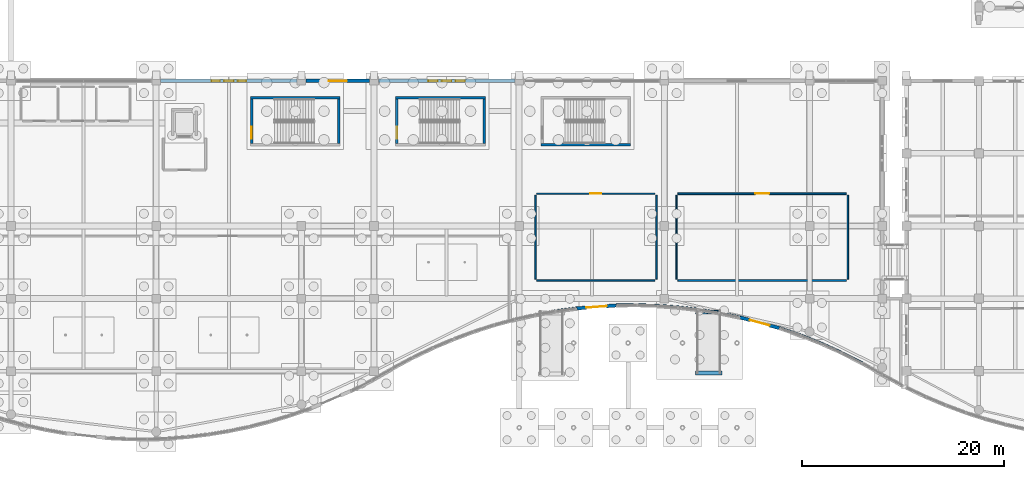
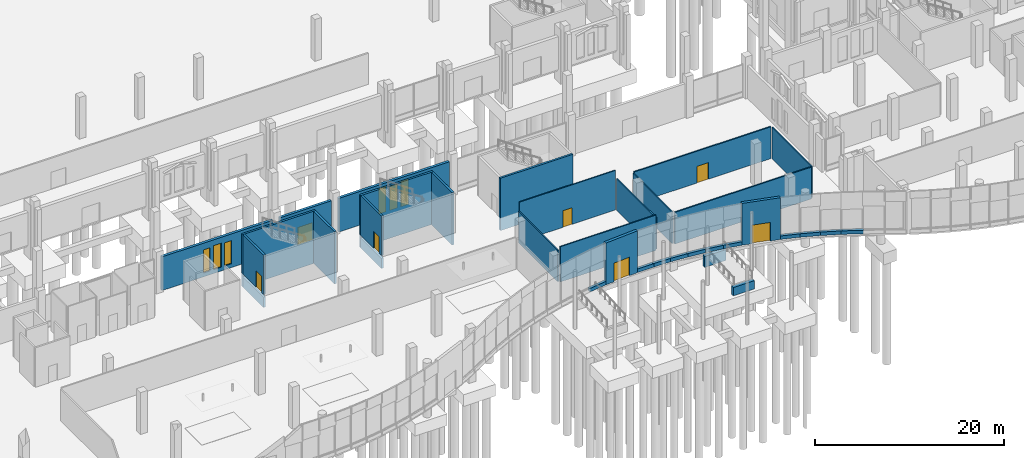
# One storey, part 134 of 192: 35 walls, 7 doors, 6 windows, 13 openings.
"""IFC4 building model written with IfcOpenShell, lengths in metres."""

import ifcopenshell
import ifcopenshell.guid

model = None  # the IFC model being written
_history = None  # IfcOwnerHistory: only IFC2X3 demands one
_inside = {}  # id of a spatial element -> (the spatial element, [elements in it])
_under = {}  # id of a project, library or spatial element -> (it, [spatial elements below it])
_declared = {}  # id of a project -> (the project, [libraries it declares])
_typed = {}  # id of a type object -> (the type object, [elements of that type])
_made_of = {}  # id of a material, layer set ... -> (it, [elements and type objects made of it])


def new_model(schema):
    """Start an empty IFC model of exactly this schema.

    Asked for "IFC4X3", IfcOpenShell would pick the latest addendum, in which some entities
    have other attributes; the version numbers below select the first issue.
    IFC2X3 requires an IfcOwnerHistory on every rooted entity: one is made here for all.
    """
    global model, _history
    if schema == "IFC4X3":
        model = ifcopenshell.file(schema_version=(4, 3, 0, 0))
    else:
        model = ifcopenshell.file(schema=schema)
    _inside.clear()
    _under.clear()
    _declared.clear()
    _typed.clear()
    _made_of.clear()
    _history = None
    if model.schema == "IFC2X3":
        org = make("IfcOrganization", Name="unknown")
        user = make(
            "IfcPersonAndOrganization",
            ThePerson=make("IfcPerson", FamilyName="unknown"),
            TheOrganization=org,
        )
        app = make(
            "IfcApplication",
            ApplicationDeveloper=org,
            Version="unknown",
            ApplicationFullName="unknown",
            ApplicationIdentifier="unknown",
        )
        _history = make(
            "IfcOwnerHistory",
            OwningUser=user,
            OwningApplication=app,
            ChangeAction="ADDED",
            CreationDate=0,
        )
    return model


def make(cls, **values):
    """One entity of the class cls with the attributes given. An attribute that is None is left unset."""
    return model.create_entity(
        cls, **{name: value for name, value in values.items() if value is not None}
    )


def rooted(cls, **values):
    """An entity with a GlobalId (a new one), such as an element, a storey or a relation."""
    return make(cls, GlobalId=ifcopenshell.guid.new(), OwnerHistory=_history, **values)


def si_unit(unit_type, name, prefix=None):
    """IfcSIUnit, for example si_unit("LENGTHUNIT", "METRE", prefix="MILLI")."""
    return make("IfcSIUnit", UnitType=unit_type, Prefix=prefix, Name=name)


def assignment(units):
    """IfcUnitAssignment: the units of a project."""
    return None if units is None else make("IfcUnitAssignment", Units=units)


def point(xyz):
    """IfcCartesianPoint."""
    return None if xyz is None else make("IfcCartesianPoint", Coordinates=xyz)


def direction(xyz):
    """IfcDirection."""
    return None if xyz is None else make("IfcDirection", DirectionRatios=xyz)


def frame(location, z_axis=None, x_axis=None):
    """IfcAxis2Placement3D, a coordinate frame: its origin and axes. An axis left out is left unset."""
    return make(
        "IfcAxis2Placement3D",
        Location=point(location),
        Axis=direction(z_axis),
        RefDirection=direction(x_axis),
    )


def frame_2d(location, x_axis=None):
    """IfcAxis2Placement2D, a coordinate frame in the plane: its origin and x axis."""
    return make(
        "IfcAxis2Placement2D", Location=point(location), RefDirection=direction(x_axis)
    )


def origin():
    """The frame at (0, 0, 0) with its axes left unset."""
    return frame((0.0, 0.0, 0.0))


def place(relative_to, where):
    """IfcLocalPlacement: puts the frame where relative to a parent placement (None: the world)."""
    return make(
        "IfcLocalPlacement", PlacementRelTo=relative_to, RelativePlacement=where
    )


def context(
    kind, dimensions, precision=None, world=None, true_north=None, identifier=None
):
    """IfcGeometricRepresentationContext, for example the 3D "Model" context."""
    return make(
        "IfcGeometricRepresentationContext",
        ContextIdentifier=identifier,
        ContextType=kind,
        CoordinateSpaceDimension=dimensions,
        Precision=precision,
        WorldCoordinateSystem=world,
        TrueNorth=true_north,
    )


def subcontext(parent, identifier, kind, view, scale=None):
    """IfcGeometricRepresentationSubContext, for example "Body" below "Model"."""
    return make(
        "IfcGeometricRepresentationSubContext",
        ContextIdentifier=identifier,
        ContextType=kind,
        ParentContext=parent,
        TargetScale=scale,
        TargetView=view,
    )


def project(units=None, contexts=None):
    """IfcProject with its units and contexts."""
    return rooted(
        "IfcProject",
        Name="project",
        RepresentationContexts=contexts,
        UnitsInContext=assignment(units),
    )


def spatial(cls, under=None, at=None, **own):
    """A site, building, storey or space (cls), placed at a placement, below another one or the project."""
    s = rooted(cls, ObjectPlacement=at, **own)
    if under is not None:
        _under.setdefault(under.id(), (under, []))[1].append(s)
    return s


def profile(cls, at=None, kind="AREA", **sizes):
    """A parametric profile (cls). Its sizes go by their IFC names, for example OverallWidth=200.0."""
    return make(cls, ProfileType=kind, Position=at, **sizes)


def rectangle(**sizes):
    """IfcRectangleProfileDef."""
    return profile("IfcRectangleProfileDef", **sizes)


def extrude(swept, where, along, depth):
    """IfcExtrudedAreaSolid: the profile swept, set in the frame where, extruded along a direction by depth."""
    return make(
        "IfcExtrudedAreaSolid",
        SweptArea=swept,
        Position=where,
        ExtrudedDirection=direction(along),
        Depth=depth,
    )


def shape(context_of_items, identifier, shape_type, items):
    """IfcShapeRepresentation: the items that make up one representation, for example the "Body"."""
    return make(
        "IfcShapeRepresentation",
        ContextOfItems=context_of_items,
        RepresentationIdentifier=identifier,
        RepresentationType=shape_type,
        Items=items,
    )


def material(Name=None, Category=None):
    """IfcMaterial."""
    return make("IfcMaterial", Name=Name, Category=Category)


def layer(
    of_material, thickness, ventilated=None, Name=None, Category=None, Priority=None
):
    """IfcMaterialLayer: one layer of a wall or slab, of a material (None: an air gap)."""
    return make(
        "IfcMaterialLayer",
        Material=of_material,
        LayerThickness=thickness,
        IsVentilated=ventilated,
        Name=Name,
        Category=Category,
        Priority=Priority,
    )


def layer_set(layers, Name=None):
    """IfcMaterialLayerSet."""
    return make("IfcMaterialLayerSet", MaterialLayers=layers, LayerSetName=Name)


def made_of(thing, what):
    """Note that an element or type object is made of a material, layer set ...; save() writes the relation."""
    if what is not None:
        _made_of.setdefault(what.id(), (what, []))[1].append(thing)
    return thing


def type_object(cls, material=None, **own):
    """A type object (cls), such as IfcWallType, which elements share."""
    return made_of(rooted(cls, **own), material)


def element(
    cls,
    number,
    at=None,
    inside=None,
    cuts=None,
    type_object=None,
    material=None,
    context=None,
    identifier="Body",
    shape_type=None,
    held_by="IfcProductDefinitionShape",
    body=None,
    shapes=None,
    **own,
):
    """One element of the class cls, such as IfcWall. Its Tag is "e" and its number.

    at: its placement. inside: the storey or other place that contains it. cuts: it is an
    opening in that element (IfcRelVoidsElement). A single representation is given by context,
    identifier, shape_type and body (its items); several are given by shapes. held_by: the class
    of the entity that holds the representations. save() writes the other relations.
    """
    e = rooted(cls, Tag="e%d" % number, ObjectPlacement=at, **own)
    if body is not None:
        shapes = [shape(context, identifier, shape_type, body)]
    if shapes is not None:
        e.Representation = make(held_by, Representations=shapes)
    if inside is not None:
        _inside.setdefault(inside.id(), (inside, []))[1].append(e)
    if cuts is not None:
        rooted(
            "IfcRelVoidsElement", RelatingBuildingElement=cuts, RelatedOpeningElement=e
        )
    if type_object is not None:
        _typed.setdefault(type_object.id(), (type_object, []))[1].append(e)
    return made_of(e, material)


def fill(opening, filler):
    """IfcRelFillsElement: the door or window that sits in an opening."""
    return rooted(
        "IfcRelFillsElement",
        RelatingOpeningElement=opening,
        RelatedBuildingElement=filler,
    )


def aggregate(whole, parts):
    """IfcRelAggregates: a whole, such as a stair, and the parts it consists of."""
    return rooted("IfcRelAggregates", RelatingObject=whole, RelatedObjects=parts)


def save(model, path):
    """Write the relations noted so far, then the file.

    IfcRelAggregates (storeys below a building ...), IfcRelContainedInSpatialStructure (elements
    in a storey), IfcRelDefinesByType, IfcRelAssociatesMaterial and IfcRelDeclares: one each for
    every whole, place, type object, material and project.
    """
    for whole, parts in _under.values():
        aggregate(whole, parts)
    for where, things in _inside.values():
        rooted(
            "IfcRelContainedInSpatialStructure",
            RelatedElements=things,
            RelatingStructure=where,
        )
    for kind, things in _typed.values():
        rooted("IfcRelDefinesByType", RelatedObjects=things, RelatingType=kind)
    for what, things in _made_of.values():
        rooted("IfcRelAssociatesMaterial", RelatedObjects=things, RelatingMaterial=what)
    for by, libraries in _declared.values():
        rooted("IfcRelDeclares", RelatingContext=by, RelatedDefinitions=libraries)
    model.write(path)


model = new_model("IFC4")

# Units and contexts
model_context = context("Model", 3, precision=1e-05, world=origin(), true_north=direction((0.0, 1.0)))
body_context = subcontext(model_context, "Body", "Model", "MODEL_VIEW")
ifc_project = project(units=[si_unit("LENGTHUNIT", "METRE"), si_unit("AREAUNIT", "SQUARE_METRE"), si_unit("VOLUMEUNIT", "CUBIC_METRE"), si_unit("PLANEANGLEUNIT", "RADIAN"), si_unit("MASSUNIT", "GRAM", prefix="KILO")], contexts=[model_context])

# Site, building, storey
site_placement = place(None, origin())
site = spatial("IfcSite", under=ifc_project, at=site_placement, CompositionType="ELEMENT")
building_placement = place(site_placement, origin())
building = spatial("IfcBuilding", under=site, at=building_placement, Name="Cendralis Lancet Convention Centre", CompositionType="ELEMENT")
storey_placement = place(building_placement, origin())
storey = spatial("IfcBuildingStorey", under=building, at=storey_placement, Name="L00", CompositionType="ELEMENT", Elevation=0.0)

# Wall, openings, windows
ifc_material_1 = material(Name="Buff sandstone ashlar and Concrete G40 (C40/50)", Category="masonry")
ifc_layer_1 = layer(ifc_material_1, 0.320068359375, Name="Buff sandstone ashlar and Concrete G40 (C40/50)")
ifc_layer_set_1 = layer_set([ifc_layer_1], Name="Buff sandstone ashlar and Concrete G40 (C40/50)")
wall_type_1 = type_object("IfcWallType", Name="ARC-EW-W320", PredefinedType="STANDARD", material=ifc_layer_set_1)
wall_1_placement = place(storey_placement, frame((58.032958984375, 36.0, 0.0), z_axis=(0.0, 0.0, 1.0), x_axis=(1.0, 0.0, 0.0)))
wall_1 = element("IfcWall", 1, at=wall_1_placement, inside=storey, type_object=wall_type_1, Name="L00 V4 Exterior Wall EW-06 #0181", PredefinedType="STANDARD", context=body_context, shape_type="SweptSolid", body=[
    extrude(rectangle(XDim=13.533935546875, YDim=0.320068359375, at=frame_2d((6.76708984375, 0.0))), origin(), (0.0, 0.0, 1.0), 4.35498046875),
])
opening_1_placement = place(wall_1_placement, frame((5.056884765625, 0.0, 0.5)))
opening_1 = element("IfcOpeningElement", 2, at=opening_1_placement, cuts=wall_1, Name="Opening WN-02", PredefinedType="OPENING", context=body_context, shape_type="SweptSolid", body=[
    extrude(rectangle(XDim=0.820068359375, YDim=3.0, at=frame_2d((0.41015625, 1.5))), frame((0.0, 0.169921875, 0.0), z_axis=(0.0, -1.0, 0.0), x_axis=(1.0, 0.0, 0.0)), (0.0, 0.0, 1.0), 0.340087890625),
])
opening_2_placement = place(wall_1_placement, frame((6.297119140625, 0.0, 0.5)))
opening_2 = element("IfcOpeningElement", 3, at=opening_2_placement, cuts=wall_1, Name="Opening WN-09", PredefinedType="OPENING", context=body_context, shape_type="SweptSolid", body=[
    extrude(rectangle(XDim=0.93994140625, YDim=3.10009765625, at=frame_2d((0.469970703125, 1.550048828125))), frame((0.0, 0.169921875, 0.0), z_axis=(0.0, -1.0, 0.0), x_axis=(1.0, 0.0, 0.0)), (0.0, 0.0, 1.0), 0.340087890625),
])
opening_3_placement = place(wall_1_placement, frame((7.656982421875, 0.0, 0.5)))
opening_3 = element("IfcOpeningElement", 4, at=opening_3_placement, cuts=wall_1, Name="Opening WN-02", PredefinedType="OPENING", context=body_context, shape_type="SweptSolid", body=[
    extrude(rectangle(XDim=0.820068359375, YDim=3.0, at=frame_2d((0.41015625, 1.5))), frame((0.0, 0.169921875, 0.0), z_axis=(0.0, -1.0, 0.0), x_axis=(1.0, 0.0, 0.0)), (0.0, 0.0, 1.0), 0.340087890625),
])
ifc_material_2 = material(Name="Double-glazed low-E solar-control glass", Category="glass")
window_type_1 = type_object("IfcWindowType", Name="ARC-WN-LW02", PartitioningType="SINGLE_PANEL", PredefinedType="WINDOW", material=ifc_material_2)
window_1_placement = place(opening_1_placement, origin())
window_1 = element("IfcWindow", 5, at=window_1_placement, inside=storey, type_object=window_type_1, Name="Gothic Lancet Window WN-02 #0353", OverallHeight=3.0, OverallWidth=0.820068359375, PartitioningType="SINGLE_PANEL", PredefinedType="WINDOW", context=body_context, shape_type="SweptSolid", body=[
    extrude(rectangle(XDim=0.820068359375, YDim=3.0, at=frame_2d((0.41015625, 1.5))), frame((0.0, 0.030029296875, 0.0), z_axis=(0.0, -1.0, 0.0), x_axis=(1.0, 0.0, 0.0)), (0.0, 0.0, 1.0), 0.06005859375),
])
fill(opening_1, window_1)
window_2_placement = place(opening_3_placement, origin())
window_2 = element("IfcWindow", 6, at=window_2_placement, inside=storey, type_object=window_type_1, Name="Gothic Lancet Window WN-02 #0355", OverallHeight=3.0, OverallWidth=0.820068359375, PartitioningType="SINGLE_PANEL", PredefinedType="WINDOW", context=body_context, shape_type="SweptSolid", body=[
    extrude(rectangle(XDim=0.820068359375, YDim=3.0, at=frame_2d((0.41015625, 1.5))), frame((0.0, 0.030029296875, 0.0), z_axis=(0.0, -1.0, 0.0), x_axis=(1.0, 0.0, 0.0)), (0.0, 0.0, 1.0), 0.06005859375),
])
fill(opening_3, window_2)
window_type_2 = type_object("IfcWindowType", Name="ARC-WN-LW09", PartitioningType="SINGLE_PANEL", PredefinedType="WINDOW", material=ifc_material_2)
window_3_placement = place(opening_2_placement, origin())
window_3 = element("IfcWindow", 7, at=window_3_placement, inside=storey, type_object=window_type_2, Name="Gothic Lancet Window WN-09 #0354", OverallHeight=3.10009765625, OverallWidth=0.93994140625, PartitioningType="SINGLE_PANEL", PredefinedType="WINDOW", context=body_context, shape_type="SweptSolid", body=[
    extrude(rectangle(XDim=0.93994140625, YDim=3.10009765625, at=frame_2d((0.469970703125, 1.550048828125))), frame((0.0, 0.030029296875, 0.0), z_axis=(0.0, -1.0, 0.0), x_axis=(1.0, 0.0, 0.0)), (0.0, 0.0, 1.0), 0.06005859375),
])
fill(opening_2, window_3)

# Wall, opening, door
wall_2_placement = place(storey_placement, frame((72.43310546875, 36.0, 0.0), z_axis=(0.0, 0.0, 1.0), x_axis=(1.0, 0.0, 0.0)))
wall_2 = element("IfcWall", 8, at=wall_2_placement, inside=storey, type_object=wall_type_1, Name="L00 V4 Exterior Wall EW-06 #0182", PredefinedType="STANDARD", context=body_context, shape_type="SweptSolid", body=[
    extrude(rectangle(XDim=6.333984375, YDim=0.320068359375, at=frame_2d((3.1669921875, 0.0))), origin(), (0.0, 0.0, 1.0), 4.35498046875),
])
opening_4_placement = place(wall_2_placement, frame((2.26708984375, 0.0, 0.0)))
opening_4 = element("IfcOpeningElement", 9, at=opening_4_placement, cuts=wall_2, Name="Opening EX-D1", PredefinedType="OPENING", context=body_context, shape_type="SweptSolid", body=[
    extrude(rectangle(XDim=1.800048828125, YDim=2.25, at=frame_2d((0.89990234375, 1.125))), frame((0.0, 0.169921875, 0.0), z_axis=(0.0, -1.0, 0.0), x_axis=(1.0, 0.0, 0.0)), (0.0, 0.0, 1.0), 0.340087890625),
])
ifc_material_3 = material(Name="Anodised bronze architectural aluminium", Category="aluminium")
door_type_1 = type_object("IfcDoorType", Name="ARC-DR-EX18", OperationType="NOTDEFINED", PredefinedType="DOOR", material=ifc_material_3)
door_1_placement = place(opening_4_placement, origin())
door_1 = element("IfcDoor", 10, at=door_1_placement, inside=storey, type_object=door_type_1, Name="L00-D044 Pedestrian Final Exit Door EX-46 #046", OperationType="DOUBLE_DOOR_SINGLE_SWING", OverallHeight=2.25, OverallWidth=1.800048828125, PredefinedType="DOOR", context=body_context, shape_type="SweptSolid", body=[
    extrude(rectangle(XDim=1.800048828125, YDim=2.25, at=frame_2d((0.89990234375, 1.125))), frame((0.0, 0.02490234375, 0.0), z_axis=(0.0, -1.0, 0.0), x_axis=(1.0, 0.0, 0.0)), (0.0, 0.0, 1.0), 0.050048828125),
])
fill(opening_4, door_1)

# Wall, openings, windows
wall_3_placement = place(storey_placement, frame((79.633056640625, 36.0, 0.0), z_axis=(0.0, 0.0, 1.0), x_axis=(1.0, 0.0, 0.0)))
wall_3 = element("IfcWall", 11, at=wall_3_placement, inside=storey, type_object=wall_type_1, Name="L00 V4 Exterior Wall EW-06 #0183", PredefinedType="STANDARD", context=body_context, shape_type="SweptSolid", body=[
    extrude(rectangle(XDim=13.533935546875, YDim=0.320068359375, at=frame_2d((6.76708984375, 0.0))), origin(), (0.0, 0.0, 1.0), 4.35498046875),
])
opening_5_placement = place(wall_3_placement, frame((4.95703125, 0.0, 0.5)))
opening_5 = element("IfcOpeningElement", 12, at=opening_5_placement, cuts=wall_3, Name="Opening WN-04", PredefinedType="OPENING", context=body_context, shape_type="SweptSolid", body=[
    extrude(rectangle(XDim=0.919921875, YDim=3.300048828125, at=frame_2d((0.4599609375, 1.64990234375))), frame((0.0, 0.169921875, 0.0), z_axis=(0.0, -1.0, 0.0), x_axis=(1.0, 0.0, 0.0)), (0.0, 0.0, 1.0), 0.340087890625),
])
opening_6_placement = place(wall_3_placement, frame((6.297119140625, 0.0, 0.5)))
opening_6 = element("IfcOpeningElement", 13, at=opening_6_placement, cuts=wall_3, Name="Opening WN-09", PredefinedType="OPENING", context=body_context, shape_type="SweptSolid", body=[
    extrude(rectangle(XDim=0.93994140625, YDim=3.10009765625, at=frame_2d((0.469970703125, 1.550048828125))), frame((0.0, 0.169921875, 0.0), z_axis=(0.0, -1.0, 0.0), x_axis=(1.0, 0.0, 0.0)), (0.0, 0.0, 1.0), 0.340087890625),
])
opening_7_placement = place(wall_3_placement, frame((7.656982421875, 0.0, 0.5)))
opening_7 = element("IfcOpeningElement", 14, at=opening_7_placement, cuts=wall_3, Name="Opening WN-04", PredefinedType="OPENING", context=body_context, shape_type="SweptSolid", body=[
    extrude(rectangle(XDim=0.919921875, YDim=3.300048828125, at=frame_2d((0.4599609375, 1.64990234375))), frame((0.0, 0.169921875, 0.0), z_axis=(0.0, -1.0, 0.0), x_axis=(1.0, 0.0, 0.0)), (0.0, 0.0, 1.0), 0.340087890625),
])
window_type_3 = type_object("IfcWindowType", Name="ARC-WN-LW04", PartitioningType="SINGLE_PANEL", PredefinedType="WINDOW", material=ifc_material_2)
window_4_placement = place(opening_5_placement, origin())
window_4 = element("IfcWindow", 15, at=window_4_placement, inside=storey, type_object=window_type_3, Name="Gothic Lancet Window WN-04 #0356", OverallHeight=3.300048828125, OverallWidth=0.919921875, PartitioningType="SINGLE_PANEL", PredefinedType="WINDOW", context=body_context, shape_type="SweptSolid", body=[
    extrude(rectangle(XDim=0.919921875, YDim=3.300048828125, at=frame_2d((0.4599609375, 1.64990234375))), frame((0.0, 0.030029296875, 0.0), z_axis=(0.0, -1.0, 0.0), x_axis=(1.0, 0.0, 0.0)), (0.0, 0.0, 1.0), 0.06005859375),
])
fill(opening_5, window_4)
window_5_placement = place(opening_7_placement, origin())
window_5 = element("IfcWindow", 16, at=window_5_placement, inside=storey, type_object=window_type_3, Name="Gothic Lancet Window WN-04 #0358", OverallHeight=3.300048828125, OverallWidth=0.919921875, PartitioningType="SINGLE_PANEL", PredefinedType="WINDOW", context=body_context, shape_type="SweptSolid", body=[
    extrude(rectangle(XDim=0.919921875, YDim=3.300048828125, at=frame_2d((0.4599609375, 1.64990234375))), frame((0.0, 0.030029296875, 0.0), z_axis=(0.0, -1.0, 0.0), x_axis=(1.0, 0.0, 0.0)), (0.0, 0.0, 1.0), 0.06005859375),
])
fill(opening_7, window_5)
window_6_placement = place(opening_6_placement, origin())
window_6 = element("IfcWindow", 17, at=window_6_placement, inside=storey, type_object=window_type_2, Name="Gothic Lancet Window WN-09 #0357", OverallHeight=3.10009765625, OverallWidth=0.93994140625, PartitioningType="SINGLE_PANEL", PredefinedType="WINDOW", context=body_context, shape_type="SweptSolid", body=[
    extrude(rectangle(XDim=0.93994140625, YDim=3.10009765625, at=frame_2d((0.469970703125, 1.550048828125))), frame((0.0, 0.030029296875, 0.0), z_axis=(0.0, -1.0, 0.0), x_axis=(1.0, 0.0, 0.0)), (0.0, 0.0, 1.0), 0.06005859375),
])
fill(opening_6, window_6)

# Wall
ifc_layer_2 = layer(ifc_material_1, 0.340087890625, Name="Buff sandstone ashlar and Concrete G40 (C40/50)")
ifc_layer_set_2 = layer_set([ifc_layer_2], Name="Buff sandstone ashlar and Concrete G40 (C40/50)")
wall_type_2 = type_object("IfcWallType", Name="ARC-EW-W340", PredefinedType="STANDARD", material=ifc_layer_set_2)
wall_4_placement = place(storey_placement, frame((97.126708984375, 13.134521484375, 0.0), z_axis=(0.0, 0.0, 1.0), x_axis=(0.990595897683, 0.136820201338, 0.0)))
element("IfcWall", 18, at=wall_4_placement, inside=storey, type_object=wall_type_2, Name="South Wave Stone Plinth WP-049-WP-050", PredefinedType="STANDARD", context=body_context, shape_type="SweptSolid", body=[
    extrude(rectangle(XDim=2.21435546875, YDim=0.340087890625, at=frame_2d((1.107177734375, 0.0))), origin(), (0.0, 0.0, 1.0), 0.449951171875),
])

# Wall, opening, door
wall_5_placement = place(storey_placement, frame((99.236083984375, 13.426025390625, 0.0), z_axis=(0.0, 0.0, 1.0), x_axis=(0.9972682464, 0.073865043984, 0.0)))
wall_5 = element("IfcWall", 19, at=wall_5_placement, inside=storey, type_object=wall_type_2, Name="Boulevard Wave Entrance Portal Wall WP-050-WP-052", PredefinedType="STANDARD", context=body_context, shape_type="SweptSolid", body=[
    extrude(rectangle(XDim=4.06201171875, YDim=0.340087890625, at=frame_2d((2.031005859375, 0.0))), origin(), (0.0, 0.0, 1.0), 5.39990234375),
])
opening_8_placement = place(wall_5_placement, frame((1.031005859375, 0.0, 0.0)))
opening_8 = element("IfcOpeningElement", 20, at=opening_8_placement, cuts=wall_5, Name="Opening EX-D2", PredefinedType="OPENING", context=body_context, shape_type="SweptSolid", body=[
    extrude(rectangle(XDim=2.0, YDim=2.39990234375, at=frame_2d((1.0, 1.199951171875))), frame((0.0, 0.179931640625, 0.0), z_axis=(0.0, -1.0, 0.0), x_axis=(1.0, 0.0, 0.0)), (0.0, 0.0, 1.0), 0.360107421875),
])
door_type_2 = type_object("IfcDoorType", Name="ARC-DR-EX20", OperationType="NOTDEFINED", PredefinedType="DOOR", material=ifc_material_3)
door_2_placement = place(opening_8_placement, frame((2.0, 0.0, 0.0), z_axis=(0.0, 0.0, 1.0), x_axis=(-1.0, 0.0, 0.0)))
door_2 = element("IfcDoor", 21, at=door_2_placement, inside=storey, type_object=door_type_2, Name="L00-D004 Pedestrian Final Exit Door EX-04 #004", OperationType="DOUBLE_DOOR_SINGLE_SWING", OverallHeight=2.39990234375, OverallWidth=2.0, PredefinedType="DOOR", context=body_context, shape_type="SweptSolid", body=[
    extrude(rectangle(XDim=2.0, YDim=2.39990234375, at=frame_2d((1.0, 1.199951171875))), frame((0.0, 0.02490234375, 0.0), z_axis=(0.0, -1.0, 0.0), x_axis=(1.0, 0.0, 0.0)), (0.0, 0.0, 1.0), 0.050048828125),
])
fill(opening_8, door_2)

# Walls
wall_6_placement = place(storey_placement, frame((103.201904296875, 13.72509765625, 0.0), z_axis=(0.0, 0.0, 1.0), x_axis=(0.999946508465, 0.010343123711, 0.0)))
element("IfcWall", 22, at=wall_6_placement, inside=storey, type_object=wall_type_2, Name="South Wave Stone Plinth WP-052-WP-053", PredefinedType="STANDARD", context=body_context, shape_type="SweptSolid", body=[
    extrude(rectangle(XDim=2.195068359375, YDim=0.340087890625, at=frame_2d((1.09765625, 0.0))), origin(), (0.0, 0.0, 1.0), 0.449951171875),
])
wall_7_placement = place(storey_placement, frame((105.22705078125, 13.749755859375, 0.0), z_axis=(0.0, 0.0, 1.0), x_axis=(0.999501499211, -0.031571396483, 0.0)))
element("IfcWall", 23, at=wall_7_placement, inside=storey, type_object=wall_type_2, Name="South Wave Stone Plinth WP-053-WP-054", PredefinedType="STANDARD", context=body_context, shape_type="SweptSolid", body=[
    extrude(rectangle(XDim=2.196044921875, YDim=0.340087890625, at=frame_2d((1.09814453125, 0.0))), origin(), (0.0, 0.0, 1.0), 0.449951171875),
])
wall_8_placement = place(storey_placement, frame((107.252197265625, 13.689208984375, 0.0), z_axis=(0.0, 0.0, 1.0), x_axis=(0.997266543485, -0.073888031812, 0.0)))
element("IfcWall", 24, at=wall_8_placement, inside=storey, type_object=wall_type_2, Name="South Wave Stone Plinth WP-054-WP-055", PredefinedType="STANDARD", context=body_context, shape_type="SweptSolid", body=[
    extrude(rectangle(XDim=2.20068359375, YDim=0.340087890625, at=frame_2d((1.100341796875, 0.0))), origin(), (0.0, 0.0, 1.0), 0.449951171875),
])
wall_9_placement = place(storey_placement, frame((109.277587890625, 13.54296875, 0.0), z_axis=(0.0, 0.0, 1.0), x_axis=(0.993222810679, -0.116225850593, 0.0)))
element("IfcWall", 25, at=wall_9_placement, inside=storey, type_object=wall_type_2, Name="South Wave Stone Plinth WP-055-WP-056", PredefinedType="STANDARD", context=body_context, shape_type="SweptSolid", body=[
    extrude(rectangle(XDim=2.209716796875, YDim=0.340087890625, at=frame_2d((1.10498046875, 0.0))), origin(), (0.0, 0.0, 1.0), 0.449951171875),
])
wall_10_placement = place(storey_placement, frame((111.30419921875, 13.3095703125, 0.0), z_axis=(0.0, 0.0, 1.0), x_axis=(0.987354042935, -0.158530734875, 0.0)))
element("IfcWall", 26, at=wall_10_placement, inside=storey, type_object=wall_type_2, Name="South Wave Stone Plinth WP-056-WP-057", PredefinedType="STANDARD", context=body_context, shape_type="SweptSolid", body=[
    extrude(rectangle(XDim=2.220703125, YDim=0.340087890625, at=frame_2d((1.1103515625, 0.0))), origin(), (0.0, 0.0, 1.0), 0.449951171875),
])
wall_11_placement = place(storey_placement, frame((113.32958984375, 12.988037109375, 0.0), z_axis=(0.0, 0.0, 1.0), x_axis=(0.979633533844, -0.200793773229, 0.0)))
element("IfcWall", 27, at=wall_11_placement, inside=storey, type_object=wall_type_2, Name="South Wave Stone Plinth WP-057-WP-058", PredefinedType="STANDARD", context=body_context, shape_type="SweptSolid", body=[
    extrude(rectangle(XDim=2.2373046875, YDim=0.340087890625, at=frame_2d((1.11865234375, 0.0))), origin(), (0.0, 0.0, 1.0), 0.449951171875),
])

# Wall, opening, door
wall_12_placement = place(storey_placement, frame((115.43798828125, 12.555908203125, 0.0), z_axis=(0.0, 0.0, 1.0), x_axis=(0.964517922342, -0.264017381021, 0.0)))
wall_12 = element("IfcWall", 28, at=wall_12_placement, inside=storey, type_object=wall_type_2, Name="Boulevard Wave Entrance Portal Wall WP-058-WP-060", PredefinedType="STANDARD", context=body_context, shape_type="SweptSolid", body=[
    extrude(rectangle(XDim=4.199951171875, YDim=0.340087890625, at=frame_2d((2.10009765625, 0.0))), origin(), (0.0, 0.0, 1.0), 5.39990234375),
])
opening_9_placement = place(wall_12_placement, frame((1.10009765625, 0.0, 0.0)))
opening_9 = element("IfcOpeningElement", 29, at=opening_9_placement, cuts=wall_12, Name="Opening EX-D2", PredefinedType="OPENING", context=body_context, shape_type="SweptSolid", body=[
    extrude(rectangle(XDim=2.0, YDim=2.39990234375, at=frame_2d((1.0, 1.199951171875))), frame((0.0, 0.179931640625, 0.0), z_axis=(0.0, -1.0, 0.0), x_axis=(1.0, 0.0, 0.0)), (0.0, 0.0, 1.0), 0.360107421875),
])
door_3_placement = place(opening_9_placement, frame((2.0, 0.0, 0.0), z_axis=(0.0, 0.0, 1.0), x_axis=(-1.0, 0.0, 0.0)))
door_3 = element("IfcDoor", 30, at=door_3_placement, inside=storey, type_object=door_type_2, Name="L00-D005 Pedestrian Final Exit Door EX-05 #005", OperationType="DOUBLE_DOOR_SINGLE_SWING", OverallHeight=2.39990234375, OverallWidth=2.0, PredefinedType="DOOR", context=body_context, shape_type="SweptSolid", body=[
    extrude(rectangle(XDim=2.0, YDim=2.39990234375, at=frame_2d((1.0, 1.199951171875))), frame((0.0, 0.02490234375, 0.0), z_axis=(0.0, -1.0, 0.0), x_axis=(1.0, 0.0, 0.0)), (0.0, 0.0, 1.0), 0.050048828125),
])
fill(opening_9, door_3)

# Walls
wall_13_placement = place(storey_placement, frame((119.40869140625, 11.474853515625, 0.0), z_axis=(0.0, 0.0, 1.0), x_axis=(0.944978543107, -0.327132317369, 0.0)))
element("IfcWall", 31, at=wall_13_placement, inside=storey, type_object=wall_type_2, Name="South Wave Stone Plinth WP-060-WP-061", PredefinedType="STANDARD", context=body_context, shape_type="SweptSolid", body=[
    extrude(rectangle(XDim=2.312744140625, YDim=0.340087890625, at=frame_2d((1.15625, 0.0))), origin(), (0.0, 0.0, 1.0), 0.449951171875),
])
wall_14_placement = place(storey_placement, frame((121.43505859375, 10.77734375, 0.0), z_axis=(0.0, 0.0, 1.0), x_axis=(0.929277325209, -0.369382799887, 0.0)))
element("IfcWall", 32, at=wall_14_placement, inside=storey, type_object=wall_type_2, Name="South Wave Stone Plinth WP-061-WP-062", PredefinedType="STANDARD", context=body_context, shape_type="SweptSolid", body=[
    extrude(rectangle(XDim=2.348876953125, YDim=0.340087890625, at=frame_2d((1.17431640625, 0.0))), origin(), (0.0, 0.0, 1.0), 0.449951171875),
])
wall_15_placement = place(storey_placement, frame((123.46142578125, 9.97607421875, 0.0), z_axis=(0.0, 0.0, 1.0), x_axis=(0.911443451381, -0.411425369823, 0.0)))
element("IfcWall", 33, at=wall_15_placement, inside=storey, type_object=wall_type_2, Name="South Wave Stone Plinth WP-062-WP-063", PredefinedType="STANDARD", context=body_context, shape_type="SweptSolid", body=[
    extrude(rectangle(XDim=2.39208984375, YDim=0.340087890625, at=frame_2d((1.196044921875, 0.0))), origin(), (0.0, 0.0, 1.0), 0.449951171875),
])
wall_16_placement = place(storey_placement, frame((125.48828125, 9.065673828125, 0.0), z_axis=(0.0, 0.0, 1.0), x_axis=(0.891025010913, -0.453954215673, 0.0)))
element("IfcWall", 34, at=wall_16_placement, inside=storey, type_object=wall_type_2, Name="South Wave Stone Plinth WP-063-WP-064", PredefinedType="STANDARD", context=body_context, shape_type="SweptSolid", body=[
    extrude(rectangle(XDim=2.44384765625, YDim=0.340087890625, at=frame_2d((1.221923828125, 0.0))), origin(), (0.0, 0.0, 1.0), 0.449951171875),
])
ifc_material_4 = material(Name="Acoustic fire-rated gypsum board on steel studs", Category="steel")
ifc_layer_3 = layer(ifc_material_4, 0.139892578125, Name="Acoustic fire-rated gypsum board on steel studs")
ifc_layer_set_3 = layer_set([ifc_layer_3], Name="Acoustic fire-rated gypsum board on steel studs")
wall_type_3 = type_object("IfcWallType", Name="ARC-IW-P140", PredefinedType="PARTITIONING", material=ifc_layer_set_3)
wall_17_placement = place(storey_placement, frame((95.340087890625, 16.199951171875, 0.0), z_axis=(0.0, 0.0, 1.0), x_axis=(1.0, 0.0, 0.0)))
element("IfcWall", 35, at=wall_17_placement, inside=storey, type_object=wall_type_3, Name="L00 Interior Partition IW-04 #0209", PredefinedType="PARTITIONING", context=body_context, shape_type="SweptSolid", body=[
    extrude(rectangle(XDim=11.719970703125, YDim=0.139892578125, at=frame_2d((5.85986328125, 0.0))), origin(), (0.0, 0.0, 1.0), 4.554931640625),
])

# Wall, opening, door
wall_18_placement = place(storey_placement, frame((95.340087890625, 24.800048828125, 0.0), z_axis=(0.0, 0.0, 1.0), x_axis=(1.0, 0.0, 0.0)))
wall_18 = element("IfcWall", 36, at=wall_18_placement, inside=storey, type_object=wall_type_3, Name="L00 Interior Partition IW-04 #0210", PredefinedType="PARTITIONING", context=body_context, shape_type="SweptSolid", body=[
    extrude(rectangle(XDim=11.719970703125, YDim=0.139892578125, at=frame_2d((5.85986328125, 0.0))), origin(), (0.0, 0.0, 1.0), 5.10498046875),
])
opening_10_placement = place(wall_18_placement, frame((5.31005859375, 0.0, 0.0)))
opening_10 = element("IfcOpeningElement", 37, at=opening_10_placement, cuts=wall_18, Name="Opening FD-11", PredefinedType="OPENING", context=body_context, shape_type="SweptSolid", body=[
    extrude(rectangle(XDim=1.10009765625, YDim=2.14990234375, at=frame_2d((0.550048828125, 1.074951171875))), frame((0.0, 0.079833984375, 0.0), z_axis=(0.0, -1.0, 0.0), x_axis=(1.0, 0.0, 0.0)), (0.0, 0.0, 1.0), 0.159912109375),
])
ifc_material_5 = material(Name="Steel S355", Category="steel")
door_type_3 = type_object("IfcDoorType", Name="ARC-DR-FF11", OperationType="NOTDEFINED", PredefinedType="DOOR", material=ifc_material_5)
door_4_placement = place(opening_10_placement, origin())
door_4 = element("IfcDoor", 38, at=door_4_placement, inside=storey, type_object=door_type_3, Name="L00-D077 L00 Interior Door FD-11 #0070", OperationType="SINGLE_SWING_RIGHT", OverallHeight=2.14990234375, OverallWidth=1.10009765625, PredefinedType="DOOR", context=body_context, shape_type="SweptSolid", body=[
    extrude(rectangle(XDim=1.10009765625, YDim=2.14990234375, at=frame_2d((0.550048828125, 1.074951171875))), frame((0.0, 0.02490234375, 0.0), z_axis=(0.0, -1.0, 0.0), x_axis=(1.0, 0.0, 0.0)), (0.0, 0.0, 1.0), 0.050048828125),
])
fill(opening_10, door_4)

# Walls
for number, where, z_axis, x_axis, name in (
    (39, (95.199951171875, 16.340087890625, 0.0), (0.0, 0.0, 1.0), (0.0, 1.0, 0.0), "L00 Interior Partition IW-04 #0211"),
    (40, (107.199951171875, 16.340087890625, 0.0), (0.0, 0.0, 1.0), (0.0, 1.0, 0.0), "L00 Interior Partition IW-04 #0212"),
    (41, (109.199951171875, 16.340087890625, 0.0), (0.0, 0.0, 1.0), (0.0, 1.0, 0.0), "L00 Interior Partition IW-04 #0215"),
    (42, (126.199951171875, 16.340087890625, 0.0), (0.0, 0.0, 1.0), (0.0, 1.0, 0.0), "L00 Interior Partition IW-04 #0216"),
):
    element("IfcWall", number, at=place(storey_placement, frame(where, z_axis=z_axis, x_axis=x_axis)), inside=storey, type_object=wall_type_3, Name=name, PredefinedType="PARTITIONING", context=body_context, shape_type="SweptSolid", body=[
        extrude(rectangle(XDim=8.31982421875, YDim=0.139892578125, at=frame_2d((4.159912109375, 0.0))), origin(), (0.0, 0.0, 1.0), 4.054931640625),
    ])
ifc_layer_4 = layer(ifc_material_4, 0.159912109375, Name="Acoustic fire-rated gypsum board on steel studs")
ifc_layer_set_4 = layer_set([ifc_layer_4], Name="Acoustic fire-rated gypsum board on steel studs")
wall_type_4 = type_object("IfcWallType", Name="ARC-IW-P160", PredefinedType="PARTITIONING", material=ifc_layer_set_4)
wall_19_placement = place(storey_placement, frame((109.340087890625, 16.199951171875, 0.0), z_axis=(0.0, 0.0, 1.0), x_axis=(1.0, 0.0, 0.0)))
element("IfcWall", 43, at=wall_19_placement, inside=storey, type_object=wall_type_4, Name="L00 Interior Partition IW-03 #0213", PredefinedType="PARTITIONING", context=body_context, shape_type="SweptSolid", body=[
    extrude(rectangle(XDim=16.719970703125, YDim=0.159912109375, at=frame_2d((8.35986328125, 0.0))), origin(), (0.0, 0.0, 1.0), 4.10498046875),
])

# Wall, opening, door
wall_20_placement = place(storey_placement, frame((109.340087890625, 24.800048828125, 0.0), z_axis=(0.0, 0.0, 1.0), x_axis=(1.0, 0.0, 0.0)))
wall_20 = element("IfcWall", 44, at=wall_20_placement, inside=storey, type_object=wall_type_4, Name="L00 Interior Partition IW-03 #0214", PredefinedType="PARTITIONING", context=body_context, shape_type="SweptSolid", body=[
    extrude(rectangle(XDim=16.719970703125, YDim=0.159912109375, at=frame_2d((8.35986328125, 0.0))), origin(), (0.0, 0.0, 1.0), 4.10498046875),
])
opening_11_placement = place(wall_20_placement, frame((7.659912109375, 0.0, 0.0)))
opening_11 = element("IfcOpeningElement", 45, at=opening_11_placement, cuts=wall_20, Name="Opening ID-14", PredefinedType="OPENING", context=body_context, shape_type="SweptSolid", body=[
    extrude(rectangle(XDim=1.39990234375, YDim=2.14990234375, at=frame_2d((0.699951171875, 1.074951171875))), frame((0.0, 0.08984375, 0.0), z_axis=(0.0, -1.0, 0.0), x_axis=(1.0, 0.0, 0.0)), (0.0, 0.0, 1.0), 0.179931640625),
])
ifc_material_6 = material(Name="Acoustic Chilean lenga timber and steel fire leaf", Category="steel")
door_type_4 = type_object("IfcDoorType", Name="ARC-DR-DB14", OperationType="NOTDEFINED", PredefinedType="DOOR", material=ifc_material_6)
door_5_placement = place(opening_11_placement, frame((1.39990234375, 0.0, 0.0), z_axis=(0.0, 0.0, 1.0), x_axis=(-1.0, 0.0, 0.0)))
door_5 = element("IfcDoor", 46, at=door_5_placement, inside=storey, type_object=door_type_4, Name="L00-D078 L00 Interior Door ID-14 #0071", OperationType="DOUBLE_DOOR_SINGLE_SWING", OverallHeight=2.14990234375, OverallWidth=1.39990234375, PredefinedType="DOOR", context=body_context, shape_type="SweptSolid", body=[
    extrude(rectangle(XDim=1.39990234375, YDim=2.14990234375, at=frame_2d((0.699951171875, 1.074951171875))), frame((0.0, 0.02490234375, 0.0), z_axis=(0.0, -1.0, 0.0), x_axis=(1.0, 0.0, 0.0)), (0.0, 0.0, 1.0), 0.050048828125),
])
fill(opening_11, door_5)

# Wall
ifc_material_7 = material(Name="Concrete G40 (C40/50)", Category="concrete")
ifc_layer_5 = layer(ifc_material_7, 0.25, Name="Concrete G40 (C40/50)")
ifc_layer_set_5 = layer_set([ifc_layer_5], Name="Concrete G40 (C40/50)")
wall_type_5 = type_object("IfcWallType", Name="STR-SW-CW250", PredefinedType="SHEAR", material=ifc_layer_set_5)
wall_21_placement = place(storey_placement, frame((67.074951171875, 29.800048828125, -1.64990234375), z_axis=(0.0, 0.0, 1.0), x_axis=(0.0, 1.0, 0.0)))
element("IfcWall", 47, at=wall_21_placement, inside=storey, type_object=wall_type_5, Name="L00 Stair Core ST-12 West Base Stem", PredefinedType="SHEAR", context=body_context, shape_type="SweptSolid", body=[
    extrude(rectangle(XDim=4.3798828125, YDim=0.25, at=frame_2d((2.18994140625, 0.0))), origin(), (0.0, 0.0, 1.0), 1.309814453125),
])

# Wall, opening, door
wall_22_placement = place(storey_placement, frame((67.074951171875, 29.800048828125, 0.0), z_axis=(0.0, 0.0, 1.0), x_axis=(0.0, 1.0, 0.0)))
wall_22 = element("IfcWall", 48, at=wall_22_placement, inside=storey, type_object=wall_type_5, Name="L00 Stair Core ST-12 West Shear Wall", PredefinedType="SHEAR", context=body_context, shape_type="SweptSolid", body=[
    extrude(rectangle(XDim=4.3798828125, YDim=0.25, at=frame_2d((2.18994140625, 0.0))), origin(), (0.0, 0.0, 1.0), 5.1201171875),
])
opening_12_placement = place(wall_22_placement, frame((0.449951171875, 0.0, 0.0)))
opening_12 = element("IfcOpeningElement", 49, at=opening_12_placement, cuts=wall_22, Name="Opening SD-12", PredefinedType="OPENING", context=body_context, shape_type="SweptSolid", body=[
    extrude(rectangle(XDim=1.199951171875, YDim=2.14990234375, at=frame_2d((0.60009765625, 1.074951171875))), frame((0.0, 0.135009765625, 0.0), z_axis=(0.0, -1.0, 0.0), x_axis=(1.0, 0.0, 0.0)), (0.0, 0.0, 1.0), 0.27001953125),
])
door_type_5 = type_object("IfcDoorType", Name="ARC-DR-ST12", OperationType="NOTDEFINED", PredefinedType="DOOR", material=ifc_material_5)
door_6_placement = place(opening_12_placement, origin())
door_6 = element("IfcDoor", 50, at=door_6_placement, inside=storey, type_object=door_type_5, Name="L00-D129 L00 Exit Stair ST-12 Fire Door", OperationType="SINGLE_SWING_RIGHT", OverallHeight=2.14990234375, OverallWidth=1.199951171875, PredefinedType="DOOR", context=body_context, shape_type="SweptSolid", body=[
    extrude(rectangle(XDim=1.199951171875, YDim=2.14990234375, at=frame_2d((0.60009765625, 1.074951171875))), frame((0.0, 0.02490234375, 0.0), z_axis=(0.0, -1.0, 0.0), x_axis=(1.0, 0.0, 0.0)), (0.0, 0.0, 1.0), 0.050048828125),
])
fill(opening_12, door_6)

# Walls
wall_23_placement = place(storey_placement, frame((75.72509765625, 29.800048828125, -1.64990234375), z_axis=(0.0, 0.0, 1.0), x_axis=(0.0, 1.0, 0.0)))
element("IfcWall", 51, at=wall_23_placement, inside=storey, type_object=wall_type_5, Name="L00 Stair Core ST-12 East Shear Wall", PredefinedType="SHEAR", context=body_context, shape_type="SweptSolid", body=[
    extrude(rectangle(XDim=4.3798828125, YDim=0.25, at=frame_2d((2.18994140625, 0.0))), origin(), (0.0, 0.0, 1.0), 6.77001953125),
])
wall_24_placement = place(storey_placement, frame((66.949951171875, 34.304931640625, -1.64990234375), z_axis=(0.0, 0.0, 1.0), x_axis=(1.0, 0.0, 0.0)))
element("IfcWall", 52, at=wall_24_placement, inside=storey, type_object=wall_type_5, Name="L00 Stair Core ST-12 North Shear Wall", PredefinedType="SHEAR", context=body_context, shape_type="SweptSolid", body=[
    extrude(rectangle(XDim=8.900146484375, YDim=0.25, at=frame_2d((4.4501953125, 0.0))), origin(), (0.0, 0.0, 1.0), 6.77001953125),
])
wall_25_placement = place(storey_placement, frame((95.75, 29.675048828125, -1.64990234375), z_axis=(0.0, 0.0, 1.0), x_axis=(1.0, 0.0, 0.0)))
element("IfcWall", 53, at=wall_25_placement, inside=storey, type_object=wall_type_5, Name="L00 Stair Core ST-18 South Shear Wall", PredefinedType="SHEAR", context=body_context, shape_type="SweptSolid", body=[
    extrude(rectangle(XDim=8.89990234375, YDim=0.25, at=frame_2d((4.449951171875, 0.0))), origin(), (0.0, 0.0, 1.0), 6.77001953125),
])
wall_26_placement = place(storey_placement, frame((81.47509765625, 29.800048828125, -1.64990234375), z_axis=(0.0, 0.0, 1.0), x_axis=(0.0, 1.0, 0.0)))
element("IfcWall", 54, at=wall_26_placement, inside=storey, type_object=wall_type_5, Name="L00 Stair Core ST-21 West Base Stem", PredefinedType="SHEAR", context=body_context, shape_type="SweptSolid", body=[
    extrude(rectangle(XDim=4.3798828125, YDim=0.25, at=frame_2d((2.18994140625, 0.0))), origin(), (0.0, 0.0, 1.0), 1.309814453125),
])

# Wall, opening, door
wall_27_placement = place(storey_placement, frame((81.47509765625, 29.800048828125, 0.0), z_axis=(0.0, 0.0, 1.0), x_axis=(0.0, 1.0, 0.0)))
wall_27 = element("IfcWall", 55, at=wall_27_placement, inside=storey, type_object=wall_type_5, Name="L00 Stair Core ST-21 West Shear Wall", PredefinedType="SHEAR", context=body_context, shape_type="SweptSolid", body=[
    extrude(rectangle(XDim=4.3798828125, YDim=0.25, at=frame_2d((2.18994140625, 0.0))), origin(), (0.0, 0.0, 1.0), 5.1201171875),
])
opening_13_placement = place(wall_27_placement, frame((0.449951171875, 0.0, 0.0)))
opening_13 = element("IfcOpeningElement", 56, at=opening_13_placement, cuts=wall_27, Name="Opening SD-12", PredefinedType="OPENING", context=body_context, shape_type="SweptSolid", body=[
    extrude(rectangle(XDim=1.199951171875, YDim=2.14990234375, at=frame_2d((0.60009765625, 1.074951171875))), frame((0.0, 0.135009765625, 0.0), z_axis=(0.0, -1.0, 0.0), x_axis=(1.0, 0.0, 0.0)), (0.0, 0.0, 1.0), 0.27001953125),
])
door_7_placement = place(opening_13_placement, origin())
door_7 = element("IfcDoor", 57, at=door_7_placement, inside=storey, type_object=door_type_5, Name="L00-D138 L00 Exit Stair ST-21 Fire Door", OperationType="SINGLE_SWING_RIGHT", OverallHeight=2.14990234375, OverallWidth=1.199951171875, PredefinedType="DOOR", context=body_context, shape_type="SweptSolid", body=[
    extrude(rectangle(XDim=1.199951171875, YDim=2.14990234375, at=frame_2d((0.60009765625, 1.074951171875))), frame((0.0, 0.02490234375, 0.0), z_axis=(0.0, -1.0, 0.0), x_axis=(1.0, 0.0, 0.0)), (0.0, 0.0, 1.0), 0.050048828125),
])
fill(opening_13, door_7)

# Walls
wall_28_placement = place(storey_placement, frame((90.125, 29.800048828125, -1.64990234375), z_axis=(0.0, 0.0, 1.0), x_axis=(0.0, 1.0, 0.0)))
element("IfcWall", 58, at=wall_28_placement, inside=storey, type_object=wall_type_5, Name="L00 Stair Core ST-21 East Shear Wall", PredefinedType="SHEAR", context=body_context, shape_type="SweptSolid", body=[
    extrude(rectangle(XDim=4.3798828125, YDim=0.25, at=frame_2d((2.18994140625, 0.0))), origin(), (0.0, 0.0, 1.0), 6.77001953125),
])
wall_29_placement = place(storey_placement, frame((81.35009765625, 34.304931640625, -1.64990234375), z_axis=(0.0, 0.0, 1.0), x_axis=(1.0, 0.0, 0.0)))
element("IfcWall", 59, at=wall_29_placement, inside=storey, type_object=wall_type_5, Name="L00 Stair Core ST-21 North Shear Wall", PredefinedType="SHEAR", context=body_context, shape_type="SweptSolid", body=[
    extrude(rectangle(XDim=8.89990234375, YDim=0.25, at=frame_2d((4.449951171875, 0.0))), origin(), (0.0, 0.0, 1.0), 6.77001953125),
])
ifc_material_8 = material(Name="Concrete G35 (C35/45)", Category="concrete")
ifc_layer_6 = layer(ifc_material_8, 0.39990234375, Name="Concrete G35 (C35/45)")
ifc_layer_set_6 = layer_set([ifc_layer_6], Name="Concrete G35 (C35/45)")
wall_type_6 = type_object("IfcWallType", Name="STR-WL-RPSTEM", PredefinedType="SHEAR", material=ifc_layer_set_6)
wall_30_placement = place(storey_placement, frame((111.10009765625, 7.0, -1.64990234375), z_axis=(0.0, 0.0, 1.0), x_axis=(1.0, 0.0, 0.0)))
element("IfcWall", 60, at=wall_30_placement, inside=storey, type_object=wall_type_6, Name="Ramp RP-02 Toe Stem Wall", PredefinedType="SHEAR", context=body_context, shape_type="SweptSolid", body=[
    extrude(rectangle(XDim=2.599853515625, YDim=0.39990234375, at=frame_2d((1.2998046875, 0.0))), origin(), (0.0, 0.0, 1.0), 1.06982421875),
])
wall_31_placement = place(storey_placement, frame((111.10009765625, 13.054931640625, -1.64990234375), z_axis=(0.0, 0.0, 1.0), x_axis=(1.0, 0.0, 0.0)))
element("IfcWall", 61, at=wall_31_placement, inside=storey, type_object=wall_type_6, Name="Ramp RP-02 Head Stem Wall", PredefinedType="SHEAR", context=body_context, shape_type="SweptSolid", body=[
    extrude(rectangle(XDim=2.599853515625, YDim=0.39990234375, at=frame_2d((1.2998046875, 0.0))), origin(), (0.0, 0.0, 1.0), 1.409912109375),
])

save(model, "model.ifc")
